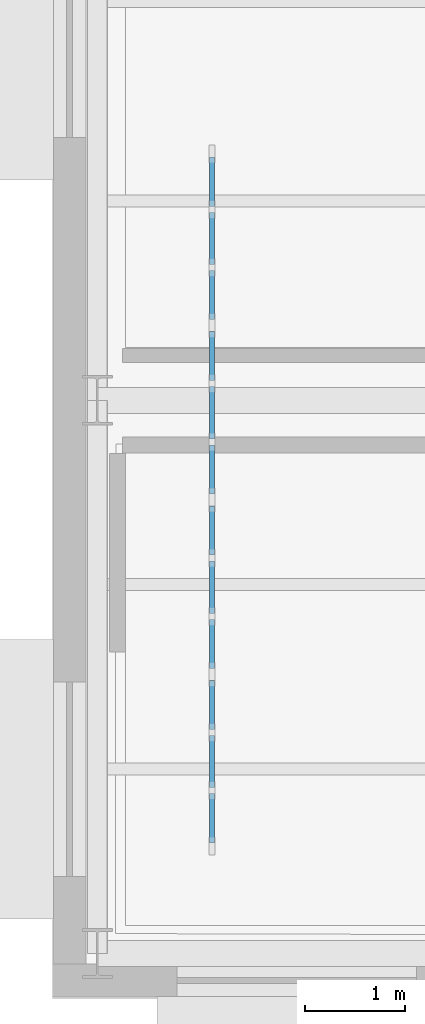
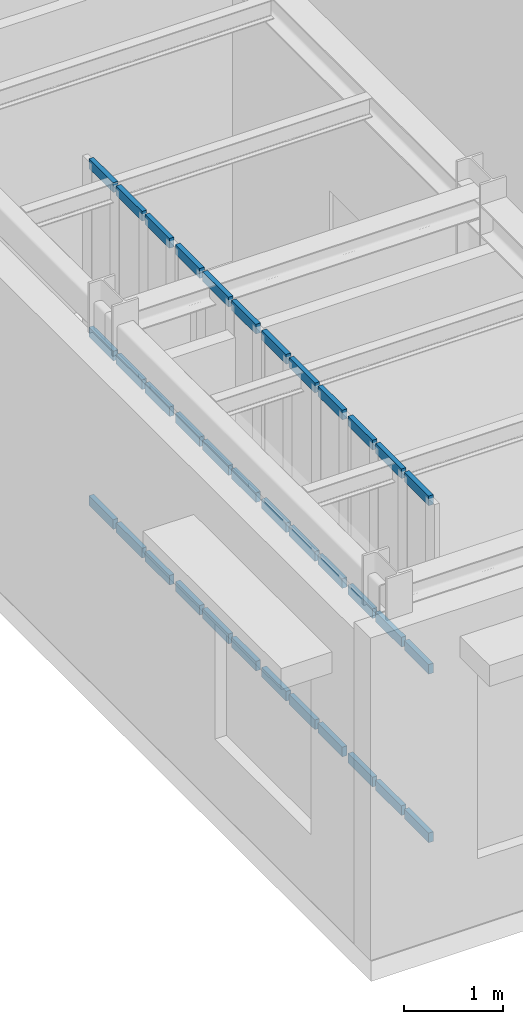
# One storey, part 34 of 91: 36 members, 4 elements without a shape of their own.
"""IFC4 building model written with IfcOpenShell, lengths in metres."""

from ifc_helpers import new_model, si_unit, direction, frame, origin, origin_2d, place, context, subcontext, project, spatial, rectangle, extrude, material, material_profile, profile_set, type_object, element, aggregate, save


model = new_model("IFC4")

# Units and contexts
model_context = context("Model", 3, precision=1e-05, world=origin(), true_north=direction((0.0, 1.0)))
body_context = subcontext(model_context, "Body", "Model", "MODEL_VIEW")
ifc_project = project(units=[si_unit("LENGTHUNIT", "METRE"), si_unit("AREAUNIT", "SQUARE_METRE"), si_unit("VOLUMEUNIT", "CUBIC_METRE"), si_unit("PLANEANGLEUNIT", "RADIAN"), si_unit("MASSUNIT", "GRAM", prefix="KILO")], contexts=[model_context])

# Site, building, storey
site_placement = place(None, origin())
site = spatial("IfcSite", under=ifc_project, at=site_placement, CompositionType="ELEMENT")
building_placement = place(site_placement, origin())
building = spatial("IfcBuilding", under=site, at=building_placement, Name="Kolvaren Corner Interchange", CompositionType="ELEMENT")
storey_placement = place(building_placement, frame((0.0, 0.0, 6.0)))
storey = spatial("IfcBuildingStorey", under=building, at=storey_placement, Name="L02", CompositionType="ELEMENT", Elevation=6.0)

# Curtain wall, members
ifc_material_1 = material(Name="Unitised Aluminium and Solar-Control Glass Curtain Wall", Category="aluminium")
curtain_wall_type = type_object("IfcCurtainWallType", Name="CW-V5-LOGGIA", PredefinedType="NOTDEFINED", material=ifc_material_1)
curtain_wall_1_placement = place(storey_placement, origin())
curtain_wall_1 = element("IfcCurtainWall", 1, at=curtain_wall_1_placement, inside=storey, type_object=curtain_wall_type, Name="Corner Loggia L02 Curtain Wall Bay 01", PredefinedType="NOTDEFINED")
ifc_material_2 = material(Name="Anodised Aluminium Framing", Category="aluminium")
ifc_material_profile = material_profile(ifc_material_2, rectangle(XDim=0.054931640625, YDim=0.1201171875, at=origin_2d()), Name="ALU 55x120")
ifc_profile_set = profile_set([ifc_material_profile], Name="Anodised Aluminium Framing")
member_type = type_object("IfcMemberType", Name="TRN-ALU55x120", PredefinedType="USERDEFINED", material=ifc_profile_set)
member_1_placement = place(storey_placement, frame((1.60009765625, 1.56005859375, 0.027587890625), z_axis=(0.0, 1.0, 0.0), x_axis=(-1.0, 0.0, 0.0)))
member_1 = element("IfcMember", 2, at=member_1_placement, type_object=member_type, Name="CW-154 transom 1.1", ObjectType="TRANSOM", PredefinedType="USERDEFINED", context=body_context, shape_type="SweptSolid", body=[
    extrude(rectangle(XDim=0.054931640625, YDim=0.1201171875, at=origin_2d()), origin(), (0.0, 0.0, 1.0), 0.4931640625),
])
member_2_placement = place(storey_placement, frame((1.60009765625, 1.56005859375, 2.110107421875), z_axis=(0.0, 1.0, 0.0), x_axis=(-1.0, 0.0, 0.0)))
member_2 = element("IfcMember", 3, at=member_2_placement, type_object=member_type, Name="CW-154 transom 1.2", ObjectType="TRANSOM", PredefinedType="USERDEFINED", context=body_context, shape_type="SweptSolid", body=[
    extrude(rectangle(XDim=0.054931640625, YDim=0.1201171875, at=origin_2d()), origin(), (0.0, 0.0, 1.0), 0.4931640625),
])
member_3_placement = place(storey_placement, frame((1.60009765625, 1.56005859375, 4.1923828125), z_axis=(0.0, 1.0, 0.0), x_axis=(-1.0, 0.0, 0.0)))
member_3 = element("IfcMember", 4, at=member_3_placement, type_object=member_type, Name="CW-154 transom 1.3", ObjectType="TRANSOM", PredefinedType="USERDEFINED", context=body_context, shape_type="SweptSolid", body=[
    extrude(rectangle(XDim=0.054931640625, YDim=0.1201171875, at=origin_2d()), origin(), (0.0, 0.0, 1.0), 0.4931640625),
])
member_4_placement = place(storey_placement, frame((1.60009765625, 2.11328125, 0.027587890625), z_axis=(0.0, 1.0, 0.0), x_axis=(-1.0, 0.0, 0.0)))
member_4 = element("IfcMember", 5, at=member_4_placement, type_object=member_type, Name="CW-154 transom 2.1", ObjectType="TRANSOM", PredefinedType="USERDEFINED", context=body_context, shape_type="SweptSolid", body=[
    extrude(rectangle(XDim=0.054931640625, YDim=0.1201171875, at=origin_2d()), origin(), (0.0, 0.0, 1.0), 0.5234375),
])
member_5_placement = place(storey_placement, frame((1.60009765625, 2.11328125, 2.110107421875), z_axis=(0.0, 1.0, 0.0), x_axis=(-1.0, 0.0, 0.0)))
member_5 = element("IfcMember", 6, at=member_5_placement, type_object=member_type, Name="CW-154 transom 2.2", ObjectType="TRANSOM", PredefinedType="USERDEFINED", context=body_context, shape_type="SweptSolid", body=[
    extrude(rectangle(XDim=0.054931640625, YDim=0.1201171875, at=origin_2d()), origin(), (0.0, 0.0, 1.0), 0.5234375),
])
member_6_placement = place(storey_placement, frame((1.60009765625, 2.11328125, 4.1923828125), z_axis=(0.0, 1.0, 0.0), x_axis=(-1.0, 0.0, 0.0)))
member_6 = element("IfcMember", 7, at=member_6_placement, type_object=member_type, Name="CW-154 transom 2.3", ObjectType="TRANSOM", PredefinedType="USERDEFINED", context=body_context, shape_type="SweptSolid", body=[
    extrude(rectangle(XDim=0.054931640625, YDim=0.1201171875, at=origin_2d()), origin(), (0.0, 0.0, 1.0), 0.5234375),
])
member_7_placement = place(storey_placement, frame((1.60009765625, 2.69677734375, 0.027587890625), z_axis=(0.0, 1.0, 0.0), x_axis=(-1.0, 0.0, 0.0)))
member_7 = element("IfcMember", 8, at=member_7_placement, type_object=member_type, Name="CW-154 transom 3.1", ObjectType="TRANSOM", PredefinedType="USERDEFINED", context=body_context, shape_type="SweptSolid", body=[
    extrude(rectangle(XDim=0.054931640625, YDim=0.1201171875, at=origin_2d()), origin(), (0.0, 0.0, 1.0), 0.4931640625),
])
member_8_placement = place(storey_placement, frame((1.60009765625, 2.69677734375, 2.110107421875), z_axis=(0.0, 1.0, 0.0), x_axis=(-1.0, 0.0, 0.0)))
member_8 = element("IfcMember", 9, at=member_8_placement, type_object=member_type, Name="CW-154 transom 3.2", ObjectType="TRANSOM", PredefinedType="USERDEFINED", context=body_context, shape_type="SweptSolid", body=[
    extrude(rectangle(XDim=0.054931640625, YDim=0.1201171875, at=origin_2d()), origin(), (0.0, 0.0, 1.0), 0.4931640625),
])
member_9_placement = place(storey_placement, frame((1.60009765625, 2.69677734375, 4.1923828125), z_axis=(0.0, 1.0, 0.0), x_axis=(-1.0, 0.0, 0.0)))
member_9 = element("IfcMember", 10, at=member_9_placement, type_object=member_type, Name="CW-154 transom 3.3", ObjectType="TRANSOM", PredefinedType="USERDEFINED", context=body_context, shape_type="SweptSolid", body=[
    extrude(rectangle(XDim=0.054931640625, YDim=0.1201171875, at=origin_2d()), origin(), (0.0, 0.0, 1.0), 0.4931640625),
])
aggregate(curtain_wall_1, [member_1, member_2, member_3, member_4, member_5, member_6, member_7, member_8, member_9])

curtain_wall_2_placement = place(storey_placement, origin())
curtain_wall_2 = element("IfcCurtainWall", 11, at=curtain_wall_2_placement, inside=storey, type_object=curtain_wall_type, Name="Corner Loggia L02 Curtain Wall Bay 02", PredefinedType="NOTDEFINED")
member_10_placement = place(storey_placement, frame((1.60009765625, 3.31005859375, 0.027587890625), z_axis=(0.0, 1.0, 0.0), x_axis=(-1.0, 0.0, 0.0)))
member_10 = element("IfcMember", 12, at=member_10_placement, type_object=member_type, Name="CW-155 transom 1.1", ObjectType="TRANSOM", PredefinedType="USERDEFINED", context=body_context, shape_type="SweptSolid", body=[
    extrude(rectangle(XDim=0.054931640625, YDim=0.1201171875, at=origin_2d()), origin(), (0.0, 0.0, 1.0), 0.4931640625),
])
member_11_placement = place(storey_placement, frame((1.60009765625, 3.31005859375, 2.110107421875), z_axis=(0.0, 1.0, 0.0), x_axis=(-1.0, 0.0, 0.0)))
member_11 = element("IfcMember", 13, at=member_11_placement, type_object=member_type, Name="CW-155 transom 1.2", ObjectType="TRANSOM", PredefinedType="USERDEFINED", context=body_context, shape_type="SweptSolid", body=[
    extrude(rectangle(XDim=0.054931640625, YDim=0.1201171875, at=origin_2d()), origin(), (0.0, 0.0, 1.0), 0.4931640625),
])
member_12_placement = place(storey_placement, frame((1.60009765625, 3.31005859375, 4.1923828125), z_axis=(0.0, 1.0, 0.0), x_axis=(-1.0, 0.0, 0.0)))
member_12 = element("IfcMember", 14, at=member_12_placement, type_object=member_type, Name="CW-155 transom 1.3", ObjectType="TRANSOM", PredefinedType="USERDEFINED", context=body_context, shape_type="SweptSolid", body=[
    extrude(rectangle(XDim=0.054931640625, YDim=0.1201171875, at=origin_2d()), origin(), (0.0, 0.0, 1.0), 0.4931640625),
])
member_13_placement = place(storey_placement, frame((1.60009765625, 3.86328125, 0.027587890625), z_axis=(0.0, 1.0, 0.0), x_axis=(-1.0, 0.0, 0.0)))
member_13 = element("IfcMember", 15, at=member_13_placement, type_object=member_type, Name="CW-155 transom 2.1", ObjectType="TRANSOM", PredefinedType="USERDEFINED", context=body_context, shape_type="SweptSolid", body=[
    extrude(rectangle(XDim=0.054931640625, YDim=0.1201171875, at=origin_2d()), origin(), (0.0, 0.0, 1.0), 0.5234375),
])
member_14_placement = place(storey_placement, frame((1.60009765625, 3.86328125, 2.110107421875), z_axis=(0.0, 1.0, 0.0), x_axis=(-1.0, 0.0, 0.0)))
member_14 = element("IfcMember", 16, at=member_14_placement, type_object=member_type, Name="CW-155 transom 2.2", ObjectType="TRANSOM", PredefinedType="USERDEFINED", context=body_context, shape_type="SweptSolid", body=[
    extrude(rectangle(XDim=0.054931640625, YDim=0.1201171875, at=origin_2d()), origin(), (0.0, 0.0, 1.0), 0.5234375),
])
member_15_placement = place(storey_placement, frame((1.60009765625, 3.86328125, 4.1923828125), z_axis=(0.0, 1.0, 0.0), x_axis=(-1.0, 0.0, 0.0)))
member_15 = element("IfcMember", 17, at=member_15_placement, type_object=member_type, Name="CW-155 transom 2.3", ObjectType="TRANSOM", PredefinedType="USERDEFINED", context=body_context, shape_type="SweptSolid", body=[
    extrude(rectangle(XDim=0.054931640625, YDim=0.1201171875, at=origin_2d()), origin(), (0.0, 0.0, 1.0), 0.5234375),
])
member_16_placement = place(storey_placement, frame((1.60009765625, 4.44677734375, 0.027587890625), z_axis=(0.0, 1.0, 0.0), x_axis=(-1.0, 0.0, 0.0)))
member_16 = element("IfcMember", 18, at=member_16_placement, type_object=member_type, Name="CW-155 transom 3.1", ObjectType="TRANSOM", PredefinedType="USERDEFINED", context=body_context, shape_type="SweptSolid", body=[
    extrude(rectangle(XDim=0.054931640625, YDim=0.1201171875, at=origin_2d()), origin(), (0.0, 0.0, 1.0), 0.4931640625),
])
member_17_placement = place(storey_placement, frame((1.60009765625, 4.44677734375, 2.110107421875), z_axis=(0.0, 1.0, 0.0), x_axis=(-1.0, 0.0, 0.0)))
member_17 = element("IfcMember", 19, at=member_17_placement, type_object=member_type, Name="CW-155 transom 3.2", ObjectType="TRANSOM", PredefinedType="USERDEFINED", context=body_context, shape_type="SweptSolid", body=[
    extrude(rectangle(XDim=0.054931640625, YDim=0.1201171875, at=origin_2d()), origin(), (0.0, 0.0, 1.0), 0.4931640625),
])
member_18_placement = place(storey_placement, frame((1.60009765625, 4.44677734375, 4.1923828125), z_axis=(0.0, 1.0, 0.0), x_axis=(-1.0, 0.0, 0.0)))
member_18 = element("IfcMember", 20, at=member_18_placement, type_object=member_type, Name="CW-155 transom 3.3", ObjectType="TRANSOM", PredefinedType="USERDEFINED", context=body_context, shape_type="SweptSolid", body=[
    extrude(rectangle(XDim=0.054931640625, YDim=0.1201171875, at=origin_2d()), origin(), (0.0, 0.0, 1.0), 0.4931640625),
])
aggregate(curtain_wall_2, [member_10, member_11, member_12, member_13, member_14, member_15, member_16, member_17, member_18])

curtain_wall_3_placement = place(storey_placement, origin())
curtain_wall_3 = element("IfcCurtainWall", 21, at=curtain_wall_3_placement, inside=storey, type_object=curtain_wall_type, Name="Corner Loggia L02 Curtain Wall Bay 03", PredefinedType="NOTDEFINED")
member_19_placement = place(storey_placement, frame((1.60009765625, 5.06005859375, 0.027587890625), z_axis=(0.0, 1.0, 0.0), x_axis=(-1.0, 0.0, 0.0)))
member_19 = element("IfcMember", 22, at=member_19_placement, type_object=member_type, Name="CW-156 transom 1.1", ObjectType="TRANSOM", PredefinedType="USERDEFINED", context=body_context, shape_type="SweptSolid", body=[
    extrude(rectangle(XDim=0.054931640625, YDim=0.1201171875, at=origin_2d()), origin(), (0.0, 0.0, 1.0), 0.4931640625),
])
member_20_placement = place(storey_placement, frame((1.60009765625, 5.06005859375, 2.110107421875), z_axis=(0.0, 1.0, 0.0), x_axis=(-1.0, 0.0, 0.0)))
member_20 = element("IfcMember", 23, at=member_20_placement, type_object=member_type, Name="CW-156 transom 1.2", ObjectType="TRANSOM", PredefinedType="USERDEFINED", context=body_context, shape_type="SweptSolid", body=[
    extrude(rectangle(XDim=0.054931640625, YDim=0.1201171875, at=origin_2d()), origin(), (0.0, 0.0, 1.0), 0.4931640625),
])
member_21_placement = place(storey_placement, frame((1.60009765625, 5.06005859375, 4.1923828125), z_axis=(0.0, 1.0, 0.0), x_axis=(-1.0, 0.0, 0.0)))
member_21 = element("IfcMember", 24, at=member_21_placement, type_object=member_type, Name="CW-156 transom 1.3", ObjectType="TRANSOM", PredefinedType="USERDEFINED", context=body_context, shape_type="SweptSolid", body=[
    extrude(rectangle(XDim=0.054931640625, YDim=0.1201171875, at=origin_2d()), origin(), (0.0, 0.0, 1.0), 0.4931640625),
])
member_22_placement = place(storey_placement, frame((1.60009765625, 5.61328125, 0.027587890625), z_axis=(0.0, 1.0, 0.0), x_axis=(-1.0, 0.0, 0.0)))
member_22 = element("IfcMember", 25, at=member_22_placement, type_object=member_type, Name="CW-156 transom 2.1", ObjectType="TRANSOM", PredefinedType="USERDEFINED", context=body_context, shape_type="SweptSolid", body=[
    extrude(rectangle(XDim=0.054931640625, YDim=0.1201171875, at=origin_2d()), origin(), (0.0, 0.0, 1.0), 0.5234375),
])
member_23_placement = place(storey_placement, frame((1.60009765625, 5.61328125, 2.110107421875), z_axis=(0.0, 1.0, 0.0), x_axis=(-1.0, 0.0, 0.0)))
member_23 = element("IfcMember", 26, at=member_23_placement, type_object=member_type, Name="CW-156 transom 2.2", ObjectType="TRANSOM", PredefinedType="USERDEFINED", context=body_context, shape_type="SweptSolid", body=[
    extrude(rectangle(XDim=0.054931640625, YDim=0.1201171875, at=origin_2d()), origin(), (0.0, 0.0, 1.0), 0.5234375),
])
member_24_placement = place(storey_placement, frame((1.60009765625, 5.61328125, 4.1923828125), z_axis=(0.0, 1.0, 0.0), x_axis=(-1.0, 0.0, 0.0)))
member_24 = element("IfcMember", 27, at=member_24_placement, type_object=member_type, Name="CW-156 transom 2.3", ObjectType="TRANSOM", PredefinedType="USERDEFINED", context=body_context, shape_type="SweptSolid", body=[
    extrude(rectangle(XDim=0.054931640625, YDim=0.1201171875, at=origin_2d()), origin(), (0.0, 0.0, 1.0), 0.5234375),
])
member_25_placement = place(storey_placement, frame((1.60009765625, 6.19677734375, 0.027587890625), z_axis=(0.0, 1.0, 0.0), x_axis=(-1.0, 0.0, 0.0)))
member_25 = element("IfcMember", 28, at=member_25_placement, type_object=member_type, Name="CW-156 transom 3.1", ObjectType="TRANSOM", PredefinedType="USERDEFINED", context=body_context, shape_type="SweptSolid", body=[
    extrude(rectangle(XDim=0.054931640625, YDim=0.1201171875, at=origin_2d()), origin(), (0.0, 0.0, 1.0), 0.4931640625),
])
member_26_placement = place(storey_placement, frame((1.60009765625, 6.19677734375, 2.110107421875), z_axis=(0.0, 1.0, 0.0), x_axis=(-1.0, 0.0, 0.0)))
member_26 = element("IfcMember", 29, at=member_26_placement, type_object=member_type, Name="CW-156 transom 3.2", ObjectType="TRANSOM", PredefinedType="USERDEFINED", context=body_context, shape_type="SweptSolid", body=[
    extrude(rectangle(XDim=0.054931640625, YDim=0.1201171875, at=origin_2d()), origin(), (0.0, 0.0, 1.0), 0.4931640625),
])
member_27_placement = place(storey_placement, frame((1.60009765625, 6.19677734375, 4.1923828125), z_axis=(0.0, 1.0, 0.0), x_axis=(-1.0, 0.0, 0.0)))
member_27 = element("IfcMember", 30, at=member_27_placement, type_object=member_type, Name="CW-156 transom 3.3", ObjectType="TRANSOM", PredefinedType="USERDEFINED", context=body_context, shape_type="SweptSolid", body=[
    extrude(rectangle(XDim=0.054931640625, YDim=0.1201171875, at=origin_2d()), origin(), (0.0, 0.0, 1.0), 0.4931640625),
])
aggregate(curtain_wall_3, [member_19, member_20, member_21, member_22, member_23, member_24, member_25, member_26, member_27])

curtain_wall_4_placement = place(storey_placement, origin())
curtain_wall_4 = element("IfcCurtainWall", 31, at=curtain_wall_4_placement, inside=storey, type_object=curtain_wall_type, Name="Corner Loggia L02 Curtain Wall Bay 04", PredefinedType="NOTDEFINED")
member_28_placement = place(storey_placement, frame((1.60009765625, 6.81005859375, 0.027587890625), z_axis=(0.0, 1.0, 0.0), x_axis=(-1.0, 0.0, 0.0)))
member_28 = element("IfcMember", 32, at=member_28_placement, type_object=member_type, Name="CW-157 transom 1.1", ObjectType="TRANSOM", PredefinedType="USERDEFINED", context=body_context, shape_type="SweptSolid", body=[
    extrude(rectangle(XDim=0.054931640625, YDim=0.1201171875, at=origin_2d()), origin(), (0.0, 0.0, 1.0), 0.4931640625),
])
member_29_placement = place(storey_placement, frame((1.60009765625, 6.81005859375, 2.110107421875), z_axis=(0.0, 1.0, 0.0), x_axis=(-1.0, 0.0, 0.0)))
member_29 = element("IfcMember", 33, at=member_29_placement, type_object=member_type, Name="CW-157 transom 1.2", ObjectType="TRANSOM", PredefinedType="USERDEFINED", context=body_context, shape_type="SweptSolid", body=[
    extrude(rectangle(XDim=0.054931640625, YDim=0.1201171875, at=origin_2d()), origin(), (0.0, 0.0, 1.0), 0.4931640625),
])
member_30_placement = place(storey_placement, frame((1.60009765625, 6.81005859375, 4.1923828125), z_axis=(0.0, 1.0, 0.0), x_axis=(-1.0, 0.0, 0.0)))
member_30 = element("IfcMember", 34, at=member_30_placement, type_object=member_type, Name="CW-157 transom 1.3", ObjectType="TRANSOM", PredefinedType="USERDEFINED", context=body_context, shape_type="SweptSolid", body=[
    extrude(rectangle(XDim=0.054931640625, YDim=0.1201171875, at=origin_2d()), origin(), (0.0, 0.0, 1.0), 0.4931640625),
])
member_31_placement = place(storey_placement, frame((1.60009765625, 7.36328125, 0.027587890625), z_axis=(0.0, 1.0, 0.0), x_axis=(-1.0, 0.0, 0.0)))
member_31 = element("IfcMember", 35, at=member_31_placement, type_object=member_type, Name="CW-157 transom 2.1", ObjectType="TRANSOM", PredefinedType="USERDEFINED", context=body_context, shape_type="SweptSolid", body=[
    extrude(rectangle(XDim=0.054931640625, YDim=0.1201171875, at=origin_2d()), origin(), (0.0, 0.0, 1.0), 0.5234375),
])
member_32_placement = place(storey_placement, frame((1.60009765625, 7.36328125, 2.110107421875), z_axis=(0.0, 1.0, 0.0), x_axis=(-1.0, 0.0, 0.0)))
member_32 = element("IfcMember", 36, at=member_32_placement, type_object=member_type, Name="CW-157 transom 2.2", ObjectType="TRANSOM", PredefinedType="USERDEFINED", context=body_context, shape_type="SweptSolid", body=[
    extrude(rectangle(XDim=0.054931640625, YDim=0.1201171875, at=origin_2d()), origin(), (0.0, 0.0, 1.0), 0.5234375),
])
member_33_placement = place(storey_placement, frame((1.60009765625, 7.36328125, 4.1923828125), z_axis=(0.0, 1.0, 0.0), x_axis=(-1.0, 0.0, 0.0)))
member_33 = element("IfcMember", 37, at=member_33_placement, type_object=member_type, Name="CW-157 transom 2.3", ObjectType="TRANSOM", PredefinedType="USERDEFINED", context=body_context, shape_type="SweptSolid", body=[
    extrude(rectangle(XDim=0.054931640625, YDim=0.1201171875, at=origin_2d()), origin(), (0.0, 0.0, 1.0), 0.5234375),
])
member_34_placement = place(storey_placement, frame((1.60009765625, 7.94677734375, 0.027587890625), z_axis=(0.0, 1.0, 0.0), x_axis=(-1.0, 0.0, 0.0)))
member_34 = element("IfcMember", 38, at=member_34_placement, type_object=member_type, Name="CW-157 transom 3.1", ObjectType="TRANSOM", PredefinedType="USERDEFINED", context=body_context, shape_type="SweptSolid", body=[
    extrude(rectangle(XDim=0.054931640625, YDim=0.1201171875, at=origin_2d()), origin(), (0.0, 0.0, 1.0), 0.4931640625),
])
member_35_placement = place(storey_placement, frame((1.60009765625, 7.94677734375, 2.110107421875), z_axis=(0.0, 1.0, 0.0), x_axis=(-1.0, 0.0, 0.0)))
member_35 = element("IfcMember", 39, at=member_35_placement, type_object=member_type, Name="CW-157 transom 3.2", ObjectType="TRANSOM", PredefinedType="USERDEFINED", context=body_context, shape_type="SweptSolid", body=[
    extrude(rectangle(XDim=0.054931640625, YDim=0.1201171875, at=origin_2d()), origin(), (0.0, 0.0, 1.0), 0.4931640625),
])
member_36_placement = place(storey_placement, frame((1.60009765625, 7.94677734375, 4.1923828125), z_axis=(0.0, 1.0, 0.0), x_axis=(-1.0, 0.0, 0.0)))
member_36 = element("IfcMember", 40, at=member_36_placement, type_object=member_type, Name="CW-157 transom 3.3", ObjectType="TRANSOM", PredefinedType="USERDEFINED", context=body_context, shape_type="SweptSolid", body=[
    extrude(rectangle(XDim=0.054931640625, YDim=0.1201171875, at=origin_2d()), origin(), (0.0, 0.0, 1.0), 0.4931640625),
])
aggregate(curtain_wall_4, [member_28, member_29, member_30, member_31, member_32, member_33, member_34, member_35, member_36])

save(model, "model.ifc")
